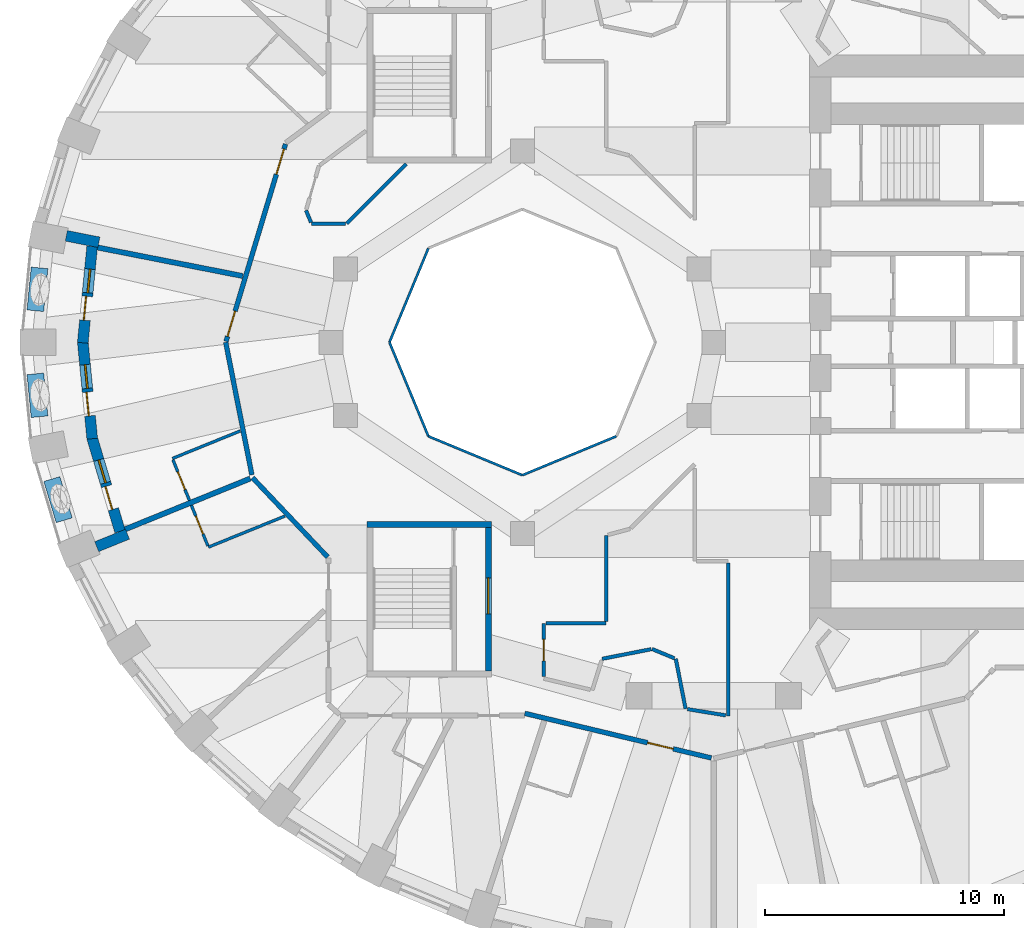
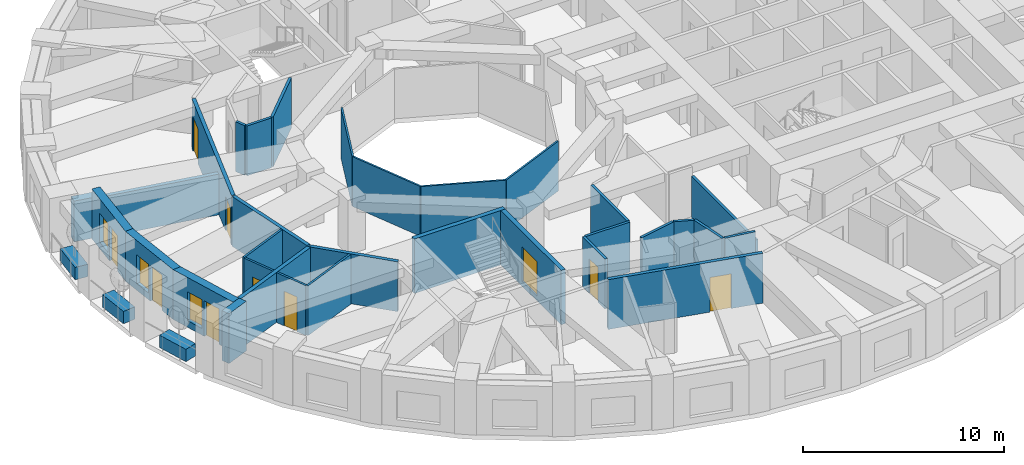
# One storey, part 4 of 14: 35 walls, 10 doors, 3 windows, 13 openings.
"""IFC4 building model written with IfcOpenShell, lengths in metres."""

from ifc_helpers import new_model, si_unit, direction, frame, frame_2d, origin, place, context, subcontext, project, spatial, rectangle, extrude, material, layer, layer_set, constituent, constituent_set, type_object, element, fill, save


model = new_model("IFC4")

# Units and contexts
model_context = context("Model", 3, precision=1e-05, world=origin(), true_north=direction((0.0, 1.0)))
body_context = subcontext(model_context, "Body", "Model", "MODEL_VIEW")
ifc_project = project(units=[si_unit("LENGTHUNIT", "METRE"), si_unit("AREAUNIT", "SQUARE_METRE"), si_unit("VOLUMEUNIT", "CUBIC_METRE"), si_unit("PLANEANGLEUNIT", "RADIAN"), si_unit("MASSUNIT", "GRAM", prefix="KILO")], contexts=[model_context])

# Site, building, storey
site_placement = place(None, origin())
site = spatial("IfcSite", under=ifc_project, at=site_placement, CompositionType="ELEMENT")
building_placement = place(site_placement, origin())
building = spatial("IfcBuilding", under=site, at=building_placement, Name="Taillehof Tower", CompositionType="ELEMENT")
storey_placement = place(building_placement, frame((0.0, 0.0, 28.300048828125)))
storey = spatial("IfcBuildingStorey", under=building, at=storey_placement, Name="L06", CompositionType="ELEMENT", Elevation=28.300048828125)

# Walls
ifc_material_1 = material(Name="Fire-resisting glass in steel frame", Category="steel")
ifc_layer_1 = layer(ifc_material_1, 0.10009765625)
ifc_layer_set_1 = layer_set([ifc_layer_1], Name="Atrium fire-resisting screen EI 60 100")
wall_type_1 = type_object("IfcWallType", Name="Atrium fire-resisting screen EI 60 100", PredefinedType="PARTITIONING", material=ifc_layer_set_1)
for number, where, z_axis, x_axis, name in (
    (1, (-4.07275390625, -3.92724609375, 0.0), (0.0, 0.0, 1.0), (-0.923860025149, -0.382730523909, 0.0), "Atrium screen"),
    (2, (-8.0, -5.55419921875, 0.0), (0.0, 0.0, 1.0), (-0.923860025149, 0.382730523909, 0.0), "Atrium screen"),
    (3, (-11.92724609375, -3.92724609375, 0.0), (0.0, 0.0, 1.0), (-0.382730523909, 0.923860025149, 0.0), "Atrium screen"),
    (4, (-13.55419921875, 0.0, 0.0), (0.0, 0.0, 1.0), (0.382730523909, 0.923860025149, 0.0), "Atrium screen"),
):
    element("IfcWall", number, at=place(storey_placement, frame(where, z_axis=z_axis, x_axis=x_axis)), inside=storey, type_object=wall_type_1, Name=name, PredefinedType="PARTITIONING", context=body_context, shape_type="SweptSolid", body=[
        extrude(rectangle(XDim=4.2509765625, YDim=0.10009765625, at=frame_2d((2.12548828125, 0.0))), origin(), (0.0, 0.0, 1.0), 3.02001953125),
    ])
ifc_material_2 = material(Name="Brick masonry", Category="masonry")
ifc_layer_2 = layer(ifc_material_2, 0.449951171875)
ifc_layer_set_2 = layer_set([ifc_layer_2], Name="Brick infill wall 450")
wall_type_2 = type_object("IfcWallType", Name="Brick infill wall 450", PredefinedType="SOLIDWALL", material=ifc_layer_set_2)
wall_1_placement = place(storey_placement, frame((-27.06396484375, 4.449951171875, 0.0), z_axis=(0.0, 0.0, 1.0), x_axis=(0.98123042829, -0.192838913596, 0.0)))
element("IfcWall", 5, at=wall_1_placement, inside=storey, type_object=wall_type_2, Name="Brick reveal L06 pocket 5", PredefinedType="SOLIDWALL", context=body_context, shape_type="SweptSolid", body=[
    extrude(rectangle(XDim=1.39013671875, YDim=0.449951171875, at=frame_2d((0.695068359375, 0.0))), origin(), (0.0, 0.0, 1.0), 2.469970703125),
])
wall_2_placement = place(storey_placement, frame((-25.795654296875, -8.54443359375, 0.0), z_axis=(0.0, 0.0, 1.0), x_axis=(0.926575599743, 0.376108572039, 0.0)))
element("IfcWall", 6, at=wall_2_placement, inside=storey, type_object=wall_type_2, Name="Brick reveal L06 pocket 5", PredefinedType="SOLIDWALL", context=body_context, shape_type="SweptSolid", body=[
    extrude(rectangle(XDim=1.390380859375, YDim=0.449951171875, at=frame_2d((0.6953125, 0.0))), origin(), (0.0, 0.0, 1.0), 3.02001953125),
])

# Wall, openings, door, window
wall_3_placement = place(storey_placement, frame((-25.982666015625, 4.008056640625, 0.0), z_axis=(0.0, 0.0, 1.0), x_axis=(-0.097133468736, -0.995271364629, 0.0)))
wall_3 = element("IfcWall", 7, at=wall_3_placement, inside=storey, type_object=wall_type_2, Name="Brick wall L06 pocket bay 18", PredefinedType="SOLIDWALL", context=body_context, shape_type="SweptSolid", body=[
    extrude(rectangle(XDim=4.049072265625, YDim=0.449951171875, at=frame_2d((2.0244140625, 0.0))), origin(), (0.0, 0.0, 1.0), 3.02001953125),
])
opening_1_placement = place(wall_3_placement, frame((0.949462890625, 0.0, 0.39990234375)))
opening_1 = element("IfcOpeningElement", 8, at=opening_1_placement, cuts=wall_3, Name="Opening W5", PredefinedType="OPENING", context=body_context, shape_type="SweptSolid", body=[
    extrude(rectangle(XDim=1.0, YDim=1.75, at=frame_2d((0.5, 0.875))), frame((0.0, 0.23486328125, 0.0), z_axis=(0.0, -1.0, 0.0), x_axis=(1.0, 0.0, 0.0)), (0.0, 0.0, 1.0), 0.469970703125),
])
opening_2_placement = place(wall_3_placement, frame((2.099609375, 0.0, 0.0)))
opening_2 = element("IfcOpeningElement", 9, at=opening_2_placement, cuts=wall_3, Name="Opening D0694", PredefinedType="OPENING", context=body_context, shape_type="SweptSolid", body=[
    extrude(rectangle(XDim=1.0, YDim=2.14990234375, at=frame_2d((0.5, 1.074951171875))), frame((0.0, 0.23486328125, 0.0), z_axis=(0.0, -1.0, 0.0), x_axis=(1.0, 0.0, 0.0)), (0.0, 0.0, 1.0), 0.469970703125),
])
ifc_material_3 = material(Name="Aluminium door frame with clear double glazing", Category="aluminium")
door_type_1 = type_object("IfcDoorType", Name="Balcony door 1000x2150", OperationType="SINGLE_SWING_RIGHT", PredefinedType="DOOR", material=ifc_material_3)
door_1_placement = place(opening_2_placement, frame((1.0, 0.0, 0.0), z_axis=(0.0, 0.0, 1.0), x_axis=(-1.0, 0.0, 0.0)))
door_1 = element("IfcDoor", 10, at=door_1_placement, inside=storey, type_object=door_type_1, Name="Balcony door L06 bay 18", OperationType="SINGLE_SWING_RIGHT", OverallHeight=2.14990234375, OverallWidth=1.0, PredefinedType="DOOR", context=body_context, shape_type="SweptSolid", body=[
    extrude(rectangle(XDim=1.0, YDim=2.14990234375, at=frame_2d((0.5, 1.074951171875))), frame((0.0, 0.0751953125, 0.0), z_axis=(0.0, -1.0, 0.0), x_axis=(1.0, 0.0, 0.0)), (0.0, 0.0, 1.0), 0.050048828125),
])
fill(opening_2, door_1)
ifc_material_4 = material(Name="Aluminium window frame with clear double glazing", Category="aluminium")
window_type = type_object("IfcWindowType", Name="Fixed window 1000x1750", PartitioningType="SINGLE_PANEL", PredefinedType="WINDOW", material=ifc_material_4)
window_1_placement = place(opening_1_placement, origin())
window_1 = element("IfcWindow", 11, at=window_1_placement, inside=storey, type_object=window_type, Name="W5", OverallHeight=1.75, OverallWidth=1.0, PartitioningType="SINGLE_PANEL", PredefinedType="WINDOW", context=body_context, shape_type="SweptSolid", body=[
    extrude(rectangle(XDim=1.0, YDim=1.75, at=frame_2d((0.5, 0.875))), frame((0.0, 0.034912109375, 0.0), z_axis=(0.0, -1.0, 0.0), x_axis=(1.0, 0.0, 0.0)), (0.0, 0.0, 1.0), 0.06005859375),
])
fill(opening_1, window_1)

wall_4_placement = place(storey_placement, frame((-26.3759765625, 0.02197265625, 0.0), z_axis=(0.0, 0.0, 1.0), x_axis=(0.097092719726, -0.995275340685, 0.0)))
wall_4 = element("IfcWall", 12, at=wall_4_placement, inside=storey, type_object=wall_type_2, Name="Brick wall L06 pocket bay 19", PredefinedType="SOLIDWALL", context=body_context, shape_type="SweptSolid", body=[
    extrude(rectangle(XDim=4.071044921875, YDim=0.449951171875, at=frame_2d((2.03564453125, 0.0))), origin(), (0.0, 0.0, 1.0), 3.02001953125),
])
opening_3_placement = place(wall_4_placement, frame((0.96044921875, 0.0, 0.39990234375)))
opening_3 = element("IfcOpeningElement", 13, at=opening_3_placement, cuts=wall_4, Name="Opening W5", PredefinedType="OPENING", context=body_context, shape_type="SweptSolid", body=[
    extrude(rectangle(XDim=1.0, YDim=1.75, at=frame_2d((0.5, 0.875))), frame((0.0, 0.23486328125, 0.0), z_axis=(0.0, -1.0, 0.0), x_axis=(1.0, 0.0, 0.0)), (0.0, 0.0, 1.0), 0.469970703125),
])
opening_4_placement = place(wall_4_placement, frame((2.110595703125, 0.0, 0.0)))
opening_4 = element("IfcOpeningElement", 14, at=opening_4_placement, cuts=wall_4, Name="Opening D0695", PredefinedType="OPENING", context=body_context, shape_type="SweptSolid", body=[
    extrude(rectangle(XDim=1.0, YDim=2.14990234375, at=frame_2d((0.5, 1.074951171875))), frame((0.0, 0.23486328125, 0.0), z_axis=(0.0, -1.0, 0.0), x_axis=(1.0, 0.0, 0.0)), (0.0, 0.0, 1.0), 0.469970703125),
])
door_2_placement = place(opening_4_placement, frame((1.0, 0.0, 0.0), z_axis=(0.0, 0.0, 1.0), x_axis=(-1.0, 0.0, 0.0)))
door_2 = element("IfcDoor", 15, at=door_2_placement, inside=storey, type_object=door_type_1, Name="Balcony door L06 bay 19", OperationType="SINGLE_SWING_LEFT", OverallHeight=2.14990234375, OverallWidth=1.0, PredefinedType="DOOR", context=body_context, shape_type="SweptSolid", body=[
    extrude(rectangle(XDim=1.0, YDim=2.14990234375, at=frame_2d((0.5, 1.074951171875))), frame((0.0, 0.0751953125, 0.0), z_axis=(0.0, -1.0, 0.0), x_axis=(1.0, 0.0, 0.0)), (0.0, 0.0, 1.0), 0.050048828125),
])
fill(opening_4, door_2)
window_2_placement = place(opening_3_placement, origin())
window_2 = element("IfcWindow", 16, at=window_2_placement, inside=storey, type_object=window_type, Name="W5", OverallHeight=1.75, OverallWidth=1.0, PartitioningType="SINGLE_PANEL", PredefinedType="WINDOW", context=body_context, shape_type="SweptSolid", body=[
    extrude(rectangle(XDim=1.0, YDim=1.75, at=frame_2d((0.5, 0.875))), frame((0.0, 0.034912109375, 0.0), z_axis=(0.0, -1.0, 0.0), x_axis=(1.0, 0.0, 0.0)), (0.0, 0.0, 1.0), 0.06005859375),
])
fill(opening_3, window_2)

wall_5_placement = place(storey_placement, frame((-25.989013671875, -3.9873046875, 0.0), z_axis=(0.0, 0.0, 1.0), x_axis=(0.286427456555, -0.958101932015, 0.0)))
wall_5 = element("IfcWall", 17, at=wall_5_placement, inside=storey, type_object=wall_type_2, Name="Brick wall L06 pocket bay 20", PredefinedType="SOLIDWALL", context=body_context, shape_type="SweptSolid", body=[
    extrude(rectangle(XDim=4.0888671875, YDim=0.449951171875, at=frame_2d((2.04443359375, 0.0))), origin(), (0.0, 0.0, 1.0), 3.02001953125),
])
opening_5_placement = place(wall_5_placement, frame((0.969482421875, 0.0, 0.39990234375)))
opening_5 = element("IfcOpeningElement", 18, at=opening_5_placement, cuts=wall_5, Name="Opening W5", PredefinedType="OPENING", context=body_context, shape_type="SweptSolid", body=[
    extrude(rectangle(XDim=1.0, YDim=1.75, at=frame_2d((0.5, 0.875))), frame((0.0, 0.23486328125, 0.0), z_axis=(0.0, -1.0, 0.0), x_axis=(1.0, 0.0, 0.0)), (0.0, 0.0, 1.0), 0.469970703125),
])
opening_6_placement = place(wall_5_placement, frame((2.119384765625, 0.0, 0.0)))
opening_6 = element("IfcOpeningElement", 19, at=opening_6_placement, cuts=wall_5, Name="Opening D0696", PredefinedType="OPENING", context=body_context, shape_type="SweptSolid", body=[
    extrude(rectangle(XDim=1.0, YDim=2.14990234375, at=frame_2d((0.5, 1.074951171875))), frame((0.0, 0.23486328125, 0.0), z_axis=(0.0, -1.0, 0.0), x_axis=(1.0, 0.0, 0.0)), (0.0, 0.0, 1.0), 0.469970703125),
])
door_3_placement = place(opening_6_placement, frame((1.0, 0.0, 0.0), z_axis=(0.0, 0.0, 1.0), x_axis=(-1.0, 0.0, 0.0)))
door_3 = element("IfcDoor", 20, at=door_3_placement, inside=storey, type_object=door_type_1, Name="Balcony door L06 bay 20", OperationType="SINGLE_SWING_LEFT", OverallHeight=2.14990234375, OverallWidth=1.0, PredefinedType="DOOR", context=body_context, shape_type="SweptSolid", body=[
    extrude(rectangle(XDim=1.0, YDim=2.14990234375, at=frame_2d((0.5, 1.074951171875))), frame((0.0, 0.0751953125, 0.0), z_axis=(0.0, -1.0, 0.0), x_axis=(1.0, 0.0, 0.0)), (0.0, 0.0, 1.0), 0.050048828125),
])
fill(opening_6, door_3)
window_3_placement = place(opening_5_placement, origin())
window_3 = element("IfcWindow", 21, at=window_3_placement, inside=storey, type_object=window_type, Name="W5", OverallHeight=1.75, OverallWidth=1.0, PartitioningType="SINGLE_PANEL", PredefinedType="WINDOW", context=body_context, shape_type="SweptSolid", body=[
    extrude(rectangle(XDim=1.0, YDim=1.75, at=frame_2d((0.5, 0.875))), frame((0.0, 0.034912109375, 0.0), z_axis=(0.0, -1.0, 0.0), x_axis=(1.0, 0.0, 0.0)), (0.0, 0.0, 1.0), 0.06005859375),
])
fill(opening_5, window_3)

# Wall, opening, door
ifc_material_5 = material(Name="Gypsum board on steel studs, two layers each side", Category="steel")
ifc_layer_3 = layer(ifc_material_5, 0.199951171875)
ifc_layer_set_3 = layer_set([ifc_layer_3], Name="Compartment wall corridor 200")
wall_type_3 = type_object("IfcWallType", Name="Compartment wall corridor 200", PredefinedType="PARTITIONING", material=ifc_layer_set_3)
wall_6_placement = place(storey_placement, frame((-0.09765625, -17.376708984375, 0.0), z_axis=(0.0, 0.0, 1.0), x_axis=(-0.97260043732, 0.232483094708, 0.0)))
wall_6 = element("IfcWall", 22, at=wall_6_placement, inside=storey, type_object=wall_type_3, Name="Compartment wall", PredefinedType="PARTITIONING", context=body_context, shape_type="SweptSolid", body=[
    extrude(rectangle(XDim=8.02197265625, YDim=0.199951171875, at=frame_2d((4.010986328125, 0.0))), origin(), (0.0, 0.0, 1.0), 3.02001953125),
])
opening_7_placement = place(wall_6_placement, frame((1.64306640625, 0.0, 0.0)))
opening_7 = element("IfcOpeningElement", 23, at=opening_7_placement, cuts=wall_6, Name="Opening D0662", PredefinedType="OPENING", context=body_context, shape_type="SweptSolid", body=[
    extrude(rectangle(XDim=1.10009765625, YDim=2.10009765625, at=frame_2d((0.550048828125, 1.050048828125))), frame((0.0, 0.10986328125, 0.0), z_axis=(0.0, -1.0, 0.0), x_axis=(1.0, 0.0, 0.0)), (0.0, 0.0, 1.0), 0.219970703125),
])
ifc_material_6 = material(Name="Timber door leaf in steel frame", Category="steel")
door_type_2 = type_object("IfcDoorType", Name="Suite entrance door EI 30 1100 x 2100", OperationType="SINGLE_SWING_LEFT", PredefinedType="DOOR", material=ifc_material_6)
door_4_placement = place(opening_7_placement, origin())
door_4 = element("IfcDoor", 24, at=door_4_placement, inside=storey, type_object=door_type_2, Name="D0662", OperationType="SINGLE_SWING_LEFT", OverallHeight=2.10009765625, OverallWidth=1.10009765625, PredefinedType="DOOR", context=body_context, shape_type="SweptSolid", body=[
    extrude(rectangle(XDim=1.10009765625, YDim=2.10009765625, at=frame_2d((0.550048828125, 1.050048828125))), frame((0.0, 0.02490234375, 0.0), z_axis=(0.0, -1.0, 0.0), x_axis=(1.0, 0.0, 0.0)), (0.0, 0.0, 1.0), 0.050048828125),
])
fill(opening_7, door_4)

# Walls
wall_7_placement = place(storey_placement, frame((-16.14111328125, -8.973876953125, 0.0), z_axis=(0.0, 0.0, 1.0), x_axis=(-0.687741683024, 0.725955492735, 0.0)))
element("IfcWall", 25, at=wall_7_placement, inside=storey, type_object=wall_type_3, Name="Compartment wall", PredefinedType="PARTITIONING", context=body_context, shape_type="SweptSolid", body=[
    extrude(rectangle(XDim=4.568115234375, YDim=0.199951171875, at=frame_2d((2.2841796875, 0.0))), origin(), (0.0, 0.0, 1.0), 3.02001953125),
])
wall_8_placement = place(storey_placement, frame((-19.30615234375, -5.54052734375, 0.0), z_axis=(0.0, 0.0, 1.0), x_axis=(-0.193671356151, 0.981066463501, 0.0)))
element("IfcWall", 26, at=wall_8_placement, inside=storey, type_object=wall_type_3, Name="Compartment wall", PredefinedType="PARTITIONING", context=body_context, shape_type="SweptSolid", body=[
    extrude(rectangle(XDim=5.6474609375, YDim=0.199951171875, at=frame_2d((2.82373046875, 0.0))), origin(), (0.0, 0.0, 1.0), 3.02001953125),
])

# Wall, openings, doors
wall_9_placement = place(storey_placement, frame((-20.38818359375, 0.0380859375, 0.0), z_axis=(0.0, 0.0, 1.0), x_axis=(0.288600779805, 0.957449523419, 0.0)))
wall_9 = element("IfcWall", 27, at=wall_9_placement, inside=storey, type_object=wall_type_3, Name="Compartment wall", PredefinedType="PARTITIONING", context=body_context, shape_type="SweptSolid", body=[
    extrude(rectangle(XDim=8.614990234375, YDim=0.199951171875, at=frame_2d((4.3076171875, 0.0))), origin(), (0.0, 0.0, 1.0), 3.02001953125),
])
opening_8_placement = place(wall_9_placement, frame((7.295166015625, 0.0, 0.0)))
opening_8 = element("IfcOpeningElement", 28, at=opening_8_placement, cuts=wall_9, Name="Opening D0652", PredefinedType="OPENING", context=body_context, shape_type="SweptSolid", body=[
    extrude(rectangle(XDim=1.10009765625, YDim=2.10009765625, at=frame_2d((0.550048828125, 1.050048828125))), frame((0.0, 0.10986328125, 0.0), z_axis=(0.0, -1.0, 0.0), x_axis=(1.0, 0.0, 0.0)), (0.0, 0.0, 1.0), 0.219970703125),
])
opening_9_placement = place(wall_9_placement, frame((0.219970703125, 0.0, 0.0)))
opening_9 = element("IfcOpeningElement", 29, at=opening_9_placement, cuts=wall_9, Name="Opening D0654", PredefinedType="OPENING", context=body_context, shape_type="SweptSolid", body=[
    extrude(rectangle(XDim=1.10009765625, YDim=2.10009765625, at=frame_2d((0.550048828125, 1.050048828125))), frame((0.0, 0.10986328125, 0.0), z_axis=(0.0, -1.0, 0.0), x_axis=(1.0, 0.0, 0.0)), (0.0, 0.0, 1.0), 0.219970703125),
])
door_5_placement = place(opening_8_placement, origin())
door_5 = element("IfcDoor", 30, at=door_5_placement, inside=storey, type_object=door_type_2, Name="D0652", OperationType="SINGLE_SWING_RIGHT", OverallHeight=2.10009765625, OverallWidth=1.10009765625, PredefinedType="DOOR", context=body_context, shape_type="SweptSolid", body=[
    extrude(rectangle(XDim=1.10009765625, YDim=2.10009765625, at=frame_2d((0.550048828125, 1.050048828125))), frame((0.0, 0.02490234375, 0.0), z_axis=(0.0, -1.0, 0.0), x_axis=(1.0, 0.0, 0.0)), (0.0, 0.0, 1.0), 0.050048828125),
])
fill(opening_8, door_5)
door_6_placement = place(opening_9_placement, origin())
door_6 = element("IfcDoor", 31, at=door_6_placement, inside=storey, type_object=door_type_2, Name="D0654", OperationType="SINGLE_SWING_RIGHT", OverallHeight=2.10009765625, OverallWidth=1.10009765625, PredefinedType="DOOR", context=body_context, shape_type="SweptSolid", body=[
    extrude(rectangle(XDim=1.10009765625, YDim=2.10009765625, at=frame_2d((0.550048828125, 1.050048828125))), frame((0.0, 0.02490234375, 0.0), z_axis=(0.0, -1.0, 0.0), x_axis=(1.0, 0.0, 0.0)), (0.0, 0.0, 1.0), 0.050048828125),
])
fill(opening_9, door_6)

# Walls
ifc_material_7 = material(Name="Gypsum board on double steel studs with mineral wool", Category="steel")
ifc_layer_4 = layer(ifc_material_7, 0.219970703125)
ifc_layer_set_4 = layer_set([ifc_layer_4], Name="Compartment wall guest room 220")
wall_type_4 = type_object("IfcWallType", Name="Compartment wall guest room 220", PredefinedType="PARTITIONING", material=ifc_layer_set_4)
wall_10_placement = place(storey_placement, frame((-25.760986328125, 3.96435546875, 0.0), z_axis=(0.0, 0.0, 1.0), x_axis=(0.981209888948, -0.192943395406, 0.0)))
element("IfcWall", 32, at=wall_10_placement, inside=storey, type_object=wall_type_4, Name="Compartment wall", PredefinedType="PARTITIONING", context=body_context, shape_type="SweptSolid", body=[
    extrude(rectangle(XDim=6.1875, YDim=0.219970703125, at=frame_2d((3.09375, 0.0))), origin(), (0.0, 0.0, 1.0), 2.469970703125),
])
wall_11_placement = place(storey_placement, frame((-24.6083984375, -7.81982421875, 0.0), z_axis=(0.0, 0.0, 1.0), x_axis=(0.926565467624, 0.376133532415, 0.0)))
element("IfcWall", 33, at=wall_11_placement, inside=storey, type_object=wall_type_4, Name="Compartment wall", PredefinedType="PARTITIONING", context=body_context, shape_type="SweptSolid", body=[
    extrude(rectangle(XDim=5.647705078125, YDim=0.219970703125, at=frame_2d((2.82373046875, 0.0))), origin(), (0.0, 0.0, 1.0), 3.02001953125),
])
ifc_material_8 = material(Name="Gypsum board on steel studs, two layers each side", Category="steel")
ifc_layer_5 = layer(ifc_material_8, 0.14990234375)
ifc_layer_set_5 = layer_set([ifc_layer_5], Name="Compartment wall service room 150")
wall_type_5 = type_object("IfcWallType", Name="Compartment wall service room 150", PredefinedType="PARTITIONING", material=ifc_layer_set_5)
wall_12_placement = place(storey_placement, frame((-12.847412109375, 7.456298828125, 0.0), z_axis=(0.0, 0.0, 1.0), x_axis=(-0.707072180997, -0.707141379683, 0.0)))
element("IfcWall", 34, at=wall_12_placement, inside=storey, type_object=wall_type_5, Name="Compartment wall", PredefinedType="PARTITIONING", context=body_context, shape_type="SweptSolid", body=[
    extrude(rectangle(XDim=3.528076171875, YDim=0.14990234375, at=frame_2d((1.76416015625, 0.0))), origin(), (0.0, 0.0, 1.0), 3.02001953125),
])
wall_13_placement = place(storey_placement, frame((-15.402099609375, 4.96142578125, 0.0), z_axis=(0.0, 0.0, 1.0), x_axis=(-0.999994001087, -0.003463782477, 0.0)))
element("IfcWall", 35, at=wall_13_placement, inside=storey, type_object=wall_type_5, Name="Compartment wall", PredefinedType="PARTITIONING", context=body_context, shape_type="SweptSolid", body=[
    extrude(rectangle(XDim=1.40966796875, YDim=0.14990234375, at=frame_2d((0.704833984375, 0.0))), origin(), (0.0, 0.0, 1.0), 3.02001953125),
])
wall_14_placement = place(storey_placement, frame((-16.83447265625, 5.01220703125, 0.0), z_axis=(0.0, 0.0, 1.0), x_axis=(-0.384455737739, 0.923143426408, 0.0)))
element("IfcWall", 36, at=wall_14_placement, inside=storey, type_object=wall_type_5, Name="Compartment wall", PredefinedType="PARTITIONING", context=body_context, shape_type="SweptSolid", body=[
    extrude(rectangle(XDim=0.54296875, YDim=0.14990234375, at=frame_2d((0.271484375, 0.0))), origin(), (0.0, 0.0, 1.0), 3.02001953125),
])
wall_15_placement = place(storey_placement, frame((-1.17578125, -15.322021484375, 0.0), z_axis=(0.0, 0.0, 1.0), x_axis=(-0.192477233237, 0.981301439256, 0.0)))
element("IfcWall", 37, at=wall_15_placement, inside=storey, type_object=wall_type_5, Name="Compartment wall", PredefinedType="PARTITIONING", context=body_context, shape_type="SweptSolid", body=[
    extrude(rectangle(XDim=2.129638671875, YDim=0.14990234375, at=frame_2d((1.06494140625, 0.0))), origin(), (0.0, 0.0, 1.0), 3.02001953125),
])
wall_16_placement = place(storey_placement, frame((-1.641357421875, -13.20947265625, 0.0), z_axis=(0.0, 0.0, 1.0), x_axis=(-0.923725449546, 0.383055209937, 0.0)))
element("IfcWall", 38, at=wall_16_placement, inside=storey, type_object=wall_type_5, Name="Compartment wall", PredefinedType="PARTITIONING", context=body_context, shape_type="SweptSolid", body=[
    extrude(rectangle(XDim=1.011474609375, YDim=0.14990234375, at=frame_2d((0.505859375, 0.0))), origin(), (0.0, 0.0, 1.0), 3.02001953125),
])
wall_17_placement = place(storey_placement, frame((-2.61474609375, -12.829833984375, 0.0), z_axis=(0.0, 0.0, 1.0), x_axis=(-0.981297312652, -0.192498270593, 0.0)))
element("IfcWall", 39, at=wall_17_placement, inside=storey, type_object=wall_type_5, Name="Compartment wall", PredefinedType="PARTITIONING", context=body_context, shape_type="SweptSolid", body=[
    extrude(rectangle(XDim=2.090087890625, YDim=0.14990234375, at=frame_2d((1.044921875, 0.0))), origin(), (0.0, 0.0, 1.0), 3.02001953125),
])

# Wall, opening, door
wall_18_placement = place(storey_placement, frame((-7.10009765625, -13.977783203125, 0.0), z_axis=(0.0, 0.0, 1.0), x_axis=(0.0, 1.0, 0.0)))
wall_18 = element("IfcWall", 40, at=wall_18_placement, inside=storey, type_object=wall_type_5, Name="Compartment wall", PredefinedType="PARTITIONING", context=body_context, shape_type="SweptSolid", body=[
    extrude(rectangle(XDim=2.227783203125, YDim=0.14990234375, at=frame_2d((1.11376953125, 0.0))), origin(), (0.0, 0.0, 1.0), 3.02001953125),
])
opening_10_placement = place(wall_18_placement, frame((0.663818359375, 0.0, 0.0)))
opening_10 = element("IfcOpeningElement", 41, at=opening_10_placement, cuts=wall_18, Name="Opening D0676", PredefinedType="OPENING", context=body_context, shape_type="SweptSolid", body=[
    extrude(rectangle(XDim=0.89990234375, YDim=2.10009765625, at=frame_2d((0.449951171875, 1.050048828125))), frame((0.0, 0.0849609375, 0.0), z_axis=(0.0, -1.0, 0.0), x_axis=(1.0, 0.0, 0.0)), (0.0, 0.0, 1.0), 0.169921875),
])
ifc_material_9 = material(Name="Timber door leaf in steel frame", Category="steel")
door_type_3 = type_object("IfcDoorType", Name="Service room door EI 30 900 x 2100", OperationType="SINGLE_SWING_LEFT", PredefinedType="DOOR", material=ifc_material_9)
door_7_placement = place(opening_10_placement, origin())
door_7 = element("IfcDoor", 42, at=door_7_placement, inside=storey, type_object=door_type_3, Name="D0676", OperationType="SINGLE_SWING_LEFT", OverallHeight=2.10009765625, OverallWidth=0.89990234375, PredefinedType="DOOR", context=body_context, shape_type="SweptSolid", body=[
    extrude(rectangle(XDim=0.89990234375, YDim=2.10009765625, at=frame_2d((0.449951171875, 1.050048828125))), frame((0.0, 0.02490234375, 0.0), z_axis=(0.0, -1.0, 0.0), x_axis=(1.0, 0.0, 0.0)), (0.0, 0.0, 1.0), 0.050048828125),
])
fill(opening_10, door_7)

# Walls
wall_19_placement = place(storey_placement, frame((-7.02001953125, -11.75, 0.0), z_axis=(0.0, 0.0, 1.0), x_axis=(1.0, 0.0, 0.0)))
element("IfcWall", 43, at=wall_19_placement, inside=storey, type_object=wall_type_5, Name="Compartment wall", PredefinedType="PARTITIONING", context=body_context, shape_type="SweptSolid", body=[
    extrude(rectangle(XDim=2.52001953125, YDim=0.14990234375, at=frame_2d((1.260009765625, 0.0))), origin(), (0.0, 0.0, 1.0), 3.02001953125),
])
wall_20_placement = place(storey_placement, frame((-4.5, -11.669921875, 0.0), z_axis=(0.0, 0.0, 1.0), x_axis=(0.0, 1.0, 0.0)))
element("IfcWall", 44, at=wall_20_placement, inside=storey, type_object=wall_type_5, Name="Compartment wall", PredefinedType="PARTITIONING", context=body_context, shape_type="SweptSolid", body=[
    extrude(rectangle(XDim=3.600830078125, YDim=0.14990234375, at=frame_2d((1.80029296875, 0.0))), origin(), (0.0, 0.0, 1.0), 3.02001953125),
])
wall_21_placement = place(storey_placement, frame((0.60009765625, -9.22998046875, 0.0), z_axis=(0.0, 0.0, 1.0), x_axis=(0.0, -1.0, 0.0)))
element("IfcWall", 45, at=wall_21_placement, inside=storey, type_object=wall_type_5, Name="Compartment wall", PredefinedType="PARTITIONING", context=body_context, shape_type="SweptSolid", body=[
    extrude(rectangle(XDim=6.381591796875, YDim=0.14990234375, at=frame_2d((3.19091796875, 0.0))), origin(), (0.0, 0.0, 1.0), 2.469970703125),
])
wall_22_placement = place(storey_placement, frame((0.501220703125, -15.595703125, 0.0), z_axis=(0.0, 0.0, 1.0), x_axis=(-0.986922601781, 0.161194845119, 0.0)))
element("IfcWall", 46, at=wall_22_placement, inside=storey, type_object=wall_type_5, Name="Compartment wall", PredefinedType="PARTITIONING", context=body_context, shape_type="SweptSolid", body=[
    extrude(rectangle(XDim=1.619140625, YDim=0.14990234375, at=frame_2d((0.8095703125, 0.0))), origin(), (0.0, 0.0, 1.0), 3.02001953125),
])
ifc_material_10 = material(Name="Gypsum board on steel studs, moisture resistant", Category="steel")
ifc_layer_6 = layer(ifc_material_10, 0.1201171875)
ifc_layer_set_6 = layer_set([ifc_layer_6], Name="En-suite wall 120")
wall_type_6 = type_object("IfcWallType", Name="En-suite wall 120", PredefinedType="PARTITIONING", material=ifc_layer_set_6)
wall_23_placement = place(storey_placement, frame((-19.790283203125, -3.705322265625, 0.0), z_axis=(0.0, 0.0, 1.0), x_axis=(-0.926585481443, -0.37608422671, 0.0)))
element("IfcWall", 47, at=wall_23_placement, inside=storey, type_object=wall_type_6, Name="En-suite wall", PredefinedType="PARTITIONING", context=body_context, shape_type="SweptSolid", body=[
    extrude(rectangle(XDim=3.06396484375, YDim=0.1201171875, at=frame_2d((1.531982421875, 0.0))), origin(), (0.0, 0.0, 1.0), 3.02001953125),
])
wall_24_placement = place(storey_placement, frame((-17.923828125, -7.264404296875, 0.0), z_axis=(0.0, 0.0, 1.0), x_axis=(-0.926548953408, -0.376174210891, 0.0)))
element("IfcWall", 48, at=wall_24_placement, inside=storey, type_object=wall_type_6, Name="En-suite wall", PredefinedType="PARTITIONING", context=body_context, shape_type="SweptSolid", body=[
    extrude(rectangle(XDim=3.45458984375, YDim=0.1201171875, at=frame_2d((1.727294921875, 0.0))), origin(), (0.0, 0.0, 1.0), 3.02001953125),
])

# Wall, opening, door
wall_25_placement = place(storey_placement, frame((-22.60693359375, -4.913330078125, 0.0), z_axis=(0.0, 0.0, 1.0), x_axis=(0.376216010002, -0.92653198208, 0.0)))
wall_25 = element("IfcWall", 49, at=wall_25_placement, inside=storey, type_object=wall_type_6, Name="En-suite wall", PredefinedType="PARTITIONING", context=body_context, shape_type="SweptSolid", body=[
    extrude(rectangle(XDim=1.830078125, YDim=0.1201171875, at=frame_2d((0.9150390625, 0.0))), origin(), (0.0, 0.0, 1.0), 3.02001953125),
])
opening_11_placement = place(wall_25_placement, frame((0.5400390625, 0.0, 0.0)))
opening_11 = element("IfcOpeningElement", 50, at=opening_11_placement, cuts=wall_25, Name="Opening D0655", PredefinedType="OPENING", context=body_context, shape_type="SweptSolid", body=[
    extrude(rectangle(XDim=0.800048828125, YDim=2.10009765625, at=frame_2d((0.39990234375, 1.050048828125))), frame((0.0, 0.070068359375, 0.0), z_axis=(0.0, -1.0, 0.0), x_axis=(1.0, 0.0, 0.0)), (0.0, 0.0, 1.0), 0.14013671875),
])
ifc_material_11 = material(Name="Timber door leaf in steel frame", Category="steel")
door_type_4 = type_object("IfcDoorType", Name="En-suite door 800 x 2100", OperationType="SINGLE_SWING_LEFT", PredefinedType="DOOR", material=ifc_material_11)
door_8_placement = place(opening_11_placement, origin())
door_8 = element("IfcDoor", 51, at=door_8_placement, inside=storey, type_object=door_type_4, Name="D0655", OperationType="SINGLE_SWING_LEFT", OverallHeight=2.10009765625, OverallWidth=0.800048828125, PredefinedType="DOOR", context=body_context, shape_type="SweptSolid", body=[
    extrude(rectangle(XDim=0.800048828125, YDim=2.10009765625, at=frame_2d((0.39990234375, 1.050048828125))), frame((0.0, 0.02490234375, 0.0), z_axis=(0.0, -1.0, 0.0), x_axis=(1.0, 0.0, 0.0)), (0.0, 0.0, 1.0), 0.050048828125),
])
fill(opening_11, door_8)

wall_26_placement = place(storey_placement, frame((-21.147216796875, -8.50830078125, 0.0), z_axis=(0.0, 0.0, 1.0), x_axis=(-0.376216010002, 0.92653198208, 0.0)))
wall_26 = element("IfcWall", 52, at=wall_26_placement, inside=storey, type_object=wall_type_6, Name="En-suite wall", PredefinedType="PARTITIONING", context=body_context, shape_type="SweptSolid", body=[
    extrude(rectangle(XDim=1.830078125, YDim=0.1201171875, at=frame_2d((0.9150390625, 0.0))), origin(), (0.0, 0.0, 1.0), 3.02001953125),
])
opening_12_placement = place(wall_26_placement, frame((0.5400390625, 0.0, 0.0)))
opening_12 = element("IfcOpeningElement", 53, at=opening_12_placement, cuts=wall_26, Name="Opening D0657", PredefinedType="OPENING", context=body_context, shape_type="SweptSolid", body=[
    extrude(rectangle(XDim=0.800048828125, YDim=2.10009765625, at=frame_2d((0.39990234375, 1.050048828125))), frame((0.0, 0.070068359375, 0.0), z_axis=(0.0, -1.0, 0.0), x_axis=(1.0, 0.0, 0.0)), (0.0, 0.0, 1.0), 0.14013671875),
])
door_9_placement = place(opening_12_placement, origin())
door_9 = element("IfcDoor", 54, at=door_9_placement, inside=storey, type_object=door_type_4, Name="D0657", OperationType="SINGLE_SWING_RIGHT", OverallHeight=2.10009765625, OverallWidth=0.800048828125, PredefinedType="DOOR", context=body_context, shape_type="SweptSolid", body=[
    extrude(rectangle(XDim=0.800048828125, YDim=2.10009765625, at=frame_2d((0.39990234375, 1.050048828125))), frame((0.0, 0.02490234375, 0.0), z_axis=(0.0, -1.0, 0.0), x_axis=(1.0, 0.0, 0.0)), (0.0, 0.0, 1.0), 0.050048828125),
])
fill(opening_12, door_9)

# Walls
ifc_material_12 = material(Name="Concrete C30/37 precast", Category="concrete")
ifc_constituent_1 = constituent(ifc_material_12, Name="Structure", Category="concrete")
ifc_material_13 = material(Name="Insulated lining")
ifc_constituent_2 = constituent(ifc_material_13, Name="Lining")
ifc_constituent_set = constituent_set(constituents=[ifc_constituent_1, ifc_constituent_2], Name="Planter trough 700x750")
wall_type_7 = type_object("IfcWallType", Name="Planter trough 700x750", PredefinedType="USERDEFINED", material=ifc_constituent_set)
for number, where, z_axis, x_axis, name in (
    (55, (-28.18310546875, 3.11083984375, 0.0), (0.0, 0.0, 1.0), (-0.097381768628, -0.995247100543, 0.0), "Planter L06 bay 18"),
    (56, (-28.3583984375, -1.3193359375, 0.0), (0.0, 0.0, 1.0), (0.097381768628, -0.995247100543, 0.0), "Planter L06 bay 19"),
):
    element("IfcWall", number, at=place(storey_placement, frame(where, z_axis=z_axis, x_axis=x_axis)), inside=storey, type_object=wall_type_7, Name=name, ObjectType="PLANTER", PredefinedType="USERDEFINED", context=body_context, shape_type="SweptSolid", body=[
        extrude(rectangle(XDim=1.800048828125, YDim=0.699951171875, at=frame_2d((0.89990234375, 0.0))), origin(), (0.0, 0.0, 1.0), 0.75),
    ])
wall_27_placement = place(storey_placement, frame((-27.668701171875, -5.71533203125, 0.0), z_axis=(0.0, 0.0, 1.0), x_axis=(0.287024312863, -0.957923297465, 0.0)))
element("IfcWall", 57, at=wall_27_placement, inside=storey, type_object=wall_type_7, Name="Planter L06 bay 20", ObjectType="PLANTER", PredefinedType="USERDEFINED", context=body_context, shape_type="SweptSolid", body=[
    extrude(rectangle(XDim=1.7998046875, YDim=0.699951171875, at=frame_2d((0.89990234375, 0.0))), origin(), (0.0, 0.0, 1.0), 0.75),
])

# Wall, opening, door
ifc_material_14 = material(Name="Concrete C50/60", Category="concrete")
ifc_layer_7 = layer(ifc_material_14, 0.25)
ifc_layer_set_7 = layer_set([ifc_layer_7], Name="Stair wall C50/60 250")
wall_type_8 = type_object("IfcWallType", Name="Stair wall C50/60 250", PredefinedType="SHEAR", material=ifc_layer_set_7)
wall_28_placement = place(storey_placement, frame((-9.425048828125, -13.75, -0.280029296875), z_axis=(0.0, 0.0, 1.0), x_axis=(0.0, 1.0, 0.0)))
wall_28 = element("IfcWall", 58, at=wall_28_placement, inside=storey, type_object=wall_type_8, Name="Stair wall SC", PredefinedType="SHEAR", context=body_context, shape_type="SweptSolid", body=[
    extrude(rectangle(XDim=6.0, YDim=0.25, at=frame_2d((3.0, 0.0))), origin(), (0.0, 0.0, 1.0), 3.300048828125),
])
opening_13_placement = place(wall_28_placement, frame((2.39990234375, 0.0, 0.280029296875)))
opening_13 = element("IfcOpeningElement", 59, at=opening_13_placement, cuts=wall_28, Name="Opening D0620", PredefinedType="OPENING", context=body_context, shape_type="SweptSolid", body=[
    extrude(rectangle(XDim=1.5, YDim=2.10009765625, at=frame_2d((0.75, 1.050048828125))), frame((0.0, 0.135009765625, 0.0), z_axis=(0.0, -1.0, 0.0), x_axis=(1.0, 0.0, 0.0)), (0.0, 0.0, 1.0), 0.27001953125),
])
ifc_material_15 = material(Name="Steel-faced fire door", Category="steel")
door_type_5 = type_object("IfcDoorType", Name="Stair door 1500x2100", OperationType="DOUBLE_DOOR_SINGLE_SWING", PredefinedType="DOOR", material=ifc_material_15)
door_10_placement = place(opening_13_placement, origin())
door_10 = element("IfcDoor", 60, at=door_10_placement, inside=storey, type_object=door_type_5, Name="Stair door S4", OperationType="DOUBLE_DOOR_SINGLE_SWING", OverallHeight=2.10009765625, OverallWidth=1.5, PredefinedType="DOOR", context=body_context, shape_type="SweptSolid", body=[
    extrude(rectangle(XDim=1.5, YDim=2.10009765625, at=frame_2d((0.75, 1.050048828125))), frame((0.0, 0.02490234375, 0.0), z_axis=(0.0, -1.0, 0.0), x_axis=(1.0, 0.0, 0.0)), (0.0, 0.0, 1.0), 0.050048828125),
])
fill(opening_13, door_10)

# Wall
wall_29_placement = place(storey_placement, frame((-14.5, -7.625, -0.280029296875), z_axis=(0.0, 0.0, 1.0), x_axis=(1.0, 0.0, 0.0)))
element("IfcWall", 61, at=wall_29_placement, inside=storey, type_object=wall_type_8, Name="Stair wall SC", PredefinedType="SHEAR", context=body_context, shape_type="SweptSolid", body=[
    extrude(rectangle(XDim=5.199951171875, YDim=0.25, at=frame_2d((2.60009765625, 0.0))), origin(), (0.0, 0.0, 1.0), 3.300048828125),
])

save(model, "model.ifc")
